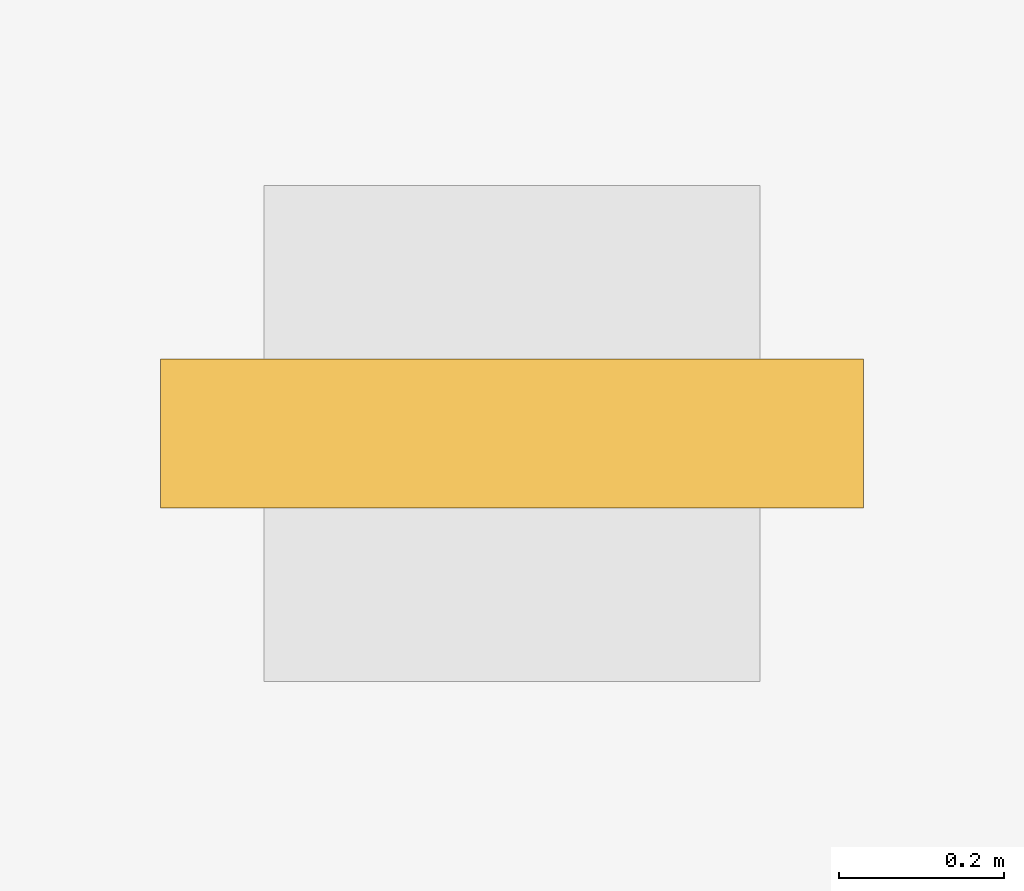
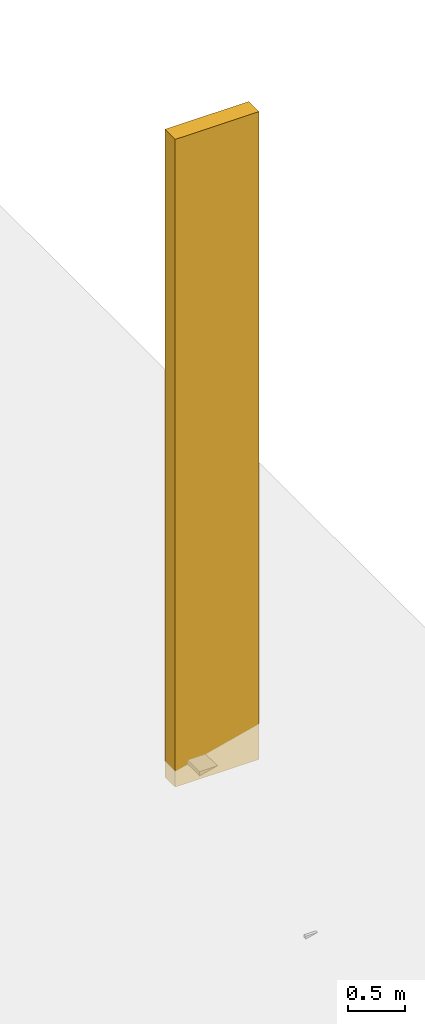
# One storey, part 2 of 2: 1 shading device.
"""IFC4 building model written with IfcOpenShell, lengths in metres."""

from ifc_helpers import new_model, si_unit, direction, frame, origin, origin_2d, place, context, subcontext, project, spatial, rectangle, extrude, source, transform, mapped, material, type_object, element, save


model = new_model("IFC4")

# Units and contexts
model_context = context("Model", 3, precision=1e-05, world=origin(), true_north=direction((0.0, 1.0)))
body_context = subcontext(model_context, "Body", "Model", "MODEL_VIEW")
ifc_project = project(units=[si_unit("LENGTHUNIT", "METRE"), si_unit("AREAUNIT", "SQUARE_METRE"), si_unit("VOLUMEUNIT", "CUBIC_METRE"), si_unit("PLANEANGLEUNIT", "RADIAN"), si_unit("MASSUNIT", "GRAM", prefix="KILO")], contexts=[model_context])

# Site, building, storey
site_placement = place(None, origin())
site = spatial("IfcSite", under=ifc_project, at=site_placement, CompositionType="ELEMENT")
building_placement = place(site_placement, origin())
building = spatial("IfcBuilding", under=site, at=building_placement, Name="Qianlan Lanfeng Residences", CompositionType="ELEMENT")
storey_placement = place(building_placement, frame((0.0, 0.0, 276.800048828125)))
storey = spatial("IfcBuildingStorey", under=building, at=storey_placement, Name="RF", CompositionType="ELEMENT", Elevation=276.800048828125)

# Shading device
ifc_material = material(Name="Anodised Bronze Aluminium Solar Fin", Category="aluminium")
shading_device_type = type_object("IfcShadingDeviceType", Name="FIN-BRZ-850", PredefinedType="SHUTTER", material=ifc_material)
shared_shape = source(origin(), body_context, "Body", "SweptSolid", [
    extrude(rectangle(XDim=0.85009765625, YDim=0.179931640625, at=origin_2d()), origin(), (0.0, 0.0, 1.0), 6.943115234375),
])
shading_device_placement = place(storey_placement, frame((42.39990234375, 28.0, 8.25732421875), z_axis=(0.0, 0.0, 1.0), x_axis=(1.0, 0.0, 0.0)))
element("IfcShadingDevice", 1, at=shading_device_placement, inside=storey, type_object=shading_device_type, Name="Crown East Blade Architectural Prow Fin (+292.00 m)", PredefinedType="SHUTTER", context=body_context, shape_type="MappedRepresentation", body=[
    mapped(shared_shape, transform((0.0, 0.0, 0.0), scale=1.0)),
])

save(model, "model.ifc")
